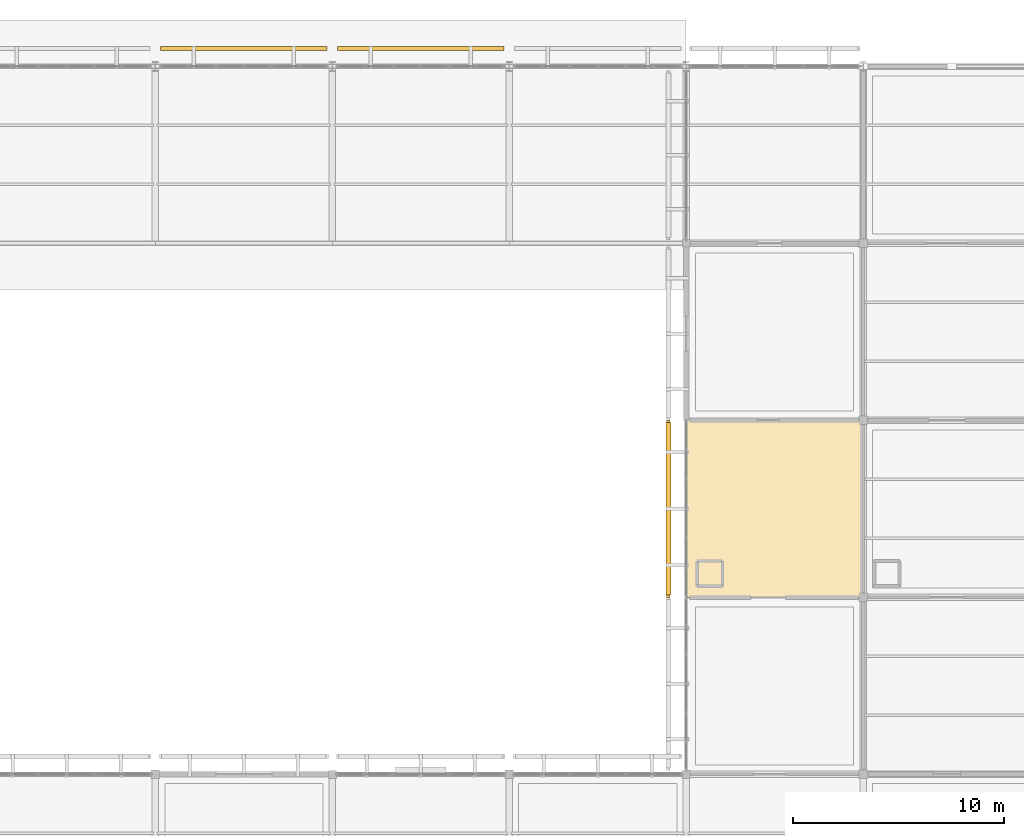
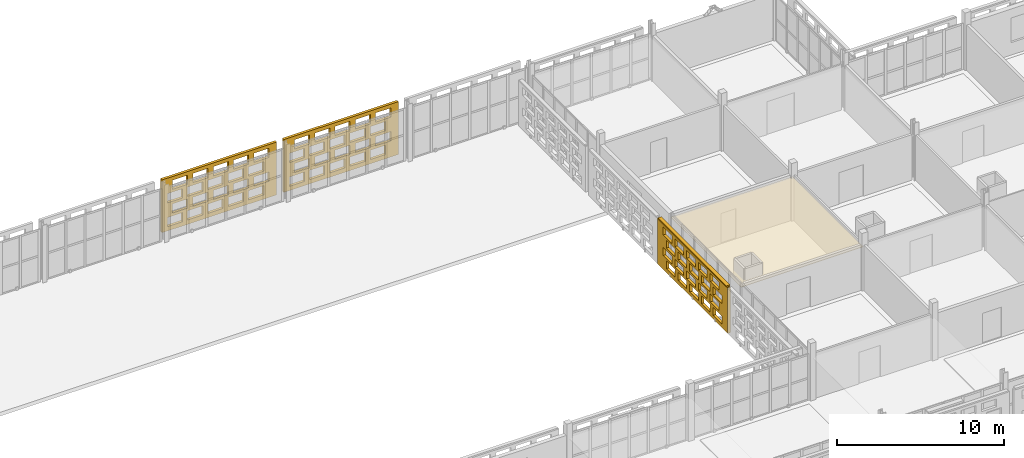
# One storey, part 148 of 166: 4 coverings, 1 shading device, 60 openings.
"""IFC4 building model written with IfcOpenShell, lengths in metres."""

from ifc_helpers import new_model, si_unit, direction, frame, frame_2d, origin, origin_2d, place, context, subcontext, project, spatial, rectangle, extrude, material, layer, layer_set, type_object, element, save


model = new_model("IFC4")

# Units and contexts
model_context = context("Model", 3, precision=1e-05, world=origin(), true_north=direction((0.0, 1.0)))
body_context = subcontext(model_context, "Body", "Model", "MODEL_VIEW")
ifc_project = project(units=[si_unit("LENGTHUNIT", "METRE"), si_unit("AREAUNIT", "SQUARE_METRE"), si_unit("VOLUMEUNIT", "CUBIC_METRE"), si_unit("PLANEANGLEUNIT", "RADIAN"), si_unit("MASSUNIT", "GRAM", prefix="KILO")], contexts=[model_context])

# Site, building, storey
site_placement = place(None, origin())
site = spatial("IfcSite", under=ifc_project, at=site_placement, CompositionType="ELEMENT")
building_placement = place(site_placement, origin())
building = spatial("IfcBuilding", under=site, at=building_placement, Name="Varnapada Polytechnic", CompositionType="ELEMENT")
storey_placement = place(building_placement, frame((0.0, 0.0, 9.60009765625)))
storey = spatial("IfcBuildingStorey", under=building, at=storey_placement, Name="L02", CompositionType="ELEMENT", Elevation=9.60009765625)

# Covering
ifc_material_1 = material(Name="Cleanroom Laboratory Metal Pan Ceiling")
ifc_layer_1 = layer(ifc_material_1, 0.034912109375)
ifc_layer_set_1 = layer_set([ifc_layer_1], Name="Cleanroom Laboratory Metal Pan Ceiling")
covering_type_1 = type_object("IfcCoveringType", Name="Suspended Ceiling CLG-06", PredefinedType="CEILING", material=ifc_layer_set_1)
covering_1_placement = place(storey_placement, frame((121.800048828125, 105.0, 3.0322265625), z_axis=(0.0, 0.0, 1.0), x_axis=(1.0, 0.0, 0.0)))
element("IfcCovering", 1, at=covering_1_placement, inside=storey, type_object=covering_type_1, Name="L02 suspended acoustic ceiling (15,13)", PredefinedType="CEILING", context=body_context, shape_type="SweptSolid", body=[
    extrude(rectangle(XDim=8.419921875, YDim=8.419921875, at=origin_2d()), origin(), (0.0, 0.0, 1.0), 0.034912109375),
])

# Covering, openings
ifc_material_2 = material(Name="Earth-toned architectural terracotta screen block", Category="masonry")
ifc_layer_2 = layer(ifc_material_2, 0.1201171875)
ifc_layer_set_2 = layer_set([ifc_layer_2], Name="Earth-toned architectural terracotta screen block")
covering_type_2 = type_object("IfcCoveringType", Name="Terracotta Screen Cladding CLD-01", PredefinedType="CLADDING", material=ifc_layer_set_2)
covering_2_placement = place(storey_placement, frame((116.75, 100.800048828125, 0.0), z_axis=(0.0, 0.0, 1.0), x_axis=(0.0, 1.0, 0.0)))
covering_2 = element("IfcCovering", 2, at=covering_2_placement, inside=storey, type_object=covering_type_2, Name="L02 perforated terracotta block screen (72)", PredefinedType="CLADDING", context=body_context, shape_type="SweptSolid", body=[
    extrude(rectangle(XDim=8.39990234375, YDim=0.179931640625, at=frame_2d((4.199951171875, 0.0))), origin(), (0.0, 0.0, 1.0), 3.31982421875),
])
opening_1_placement = place(covering_2_placement, frame((0.699951171875, 0.0, 0.265625)))
element("IfcOpeningElement", 3, at=opening_1_placement, cuts=covering_2, Name="Screen perforation TBS-L02-071.1", PredefinedType="OPENING", context=body_context, shape_type="SweptSolid", body=[
    extrude(rectangle(XDim=1.0400390625, YDim=0.5810546875, at=frame_2d((0.52001953125, 0.29052734375))), frame((0.0, 0.099853515625, 0.0), z_axis=(0.0, -1.0, 0.0), x_axis=(1.0, 0.0, 0.0)), (0.0, 0.0, 1.0), 0.199951171875),
])
opening_2_placement = place(covering_2_placement, frame((2.10009765625, 0.0, 0.265625)))
element("IfcOpeningElement", 4, at=opening_2_placement, cuts=covering_2, Name="Screen perforation TBS-L02-071.2", PredefinedType="OPENING", context=body_context, shape_type="SweptSolid", body=[
    extrude(rectangle(XDim=1.0400390625, YDim=0.5810546875, at=frame_2d((0.52001953125, 0.29052734375))), frame((0.0, 0.099853515625, 0.0), z_axis=(0.0, -1.0, 0.0), x_axis=(1.0, 0.0, 0.0)), (0.0, 0.0, 1.0), 0.199951171875),
])
opening_3_placement = place(covering_2_placement, frame((3.5, 0.0, 0.265625)))
element("IfcOpeningElement", 5, at=opening_3_placement, cuts=covering_2, Name="Screen perforation TBS-L02-071.3", PredefinedType="OPENING", context=body_context, shape_type="SweptSolid", body=[
    extrude(rectangle(XDim=1.0400390625, YDim=0.5810546875, at=frame_2d((0.52001953125, 0.29052734375))), frame((0.0, 0.099853515625, 0.0), z_axis=(0.0, -1.0, 0.0), x_axis=(1.0, 0.0, 0.0)), (0.0, 0.0, 1.0), 0.199951171875),
])
opening_4_placement = place(covering_2_placement, frame((4.89990234375, 0.0, 0.265625)))
element("IfcOpeningElement", 6, at=opening_4_placement, cuts=covering_2, Name="Screen perforation TBS-L02-071.4", PredefinedType="OPENING", context=body_context, shape_type="SweptSolid", body=[
    extrude(rectangle(XDim=1.0400390625, YDim=0.5810546875, at=frame_2d((0.52001953125, 0.29052734375))), frame((0.0, 0.099853515625, 0.0), z_axis=(0.0, -1.0, 0.0), x_axis=(1.0, 0.0, 0.0)), (0.0, 0.0, 1.0), 0.199951171875),
])
opening_5_placement = place(covering_2_placement, frame((6.300048828125, 0.0, 0.265625)))
element("IfcOpeningElement", 7, at=opening_5_placement, cuts=covering_2, Name="Screen perforation TBS-L02-071.5", PredefinedType="OPENING", context=body_context, shape_type="SweptSolid", body=[
    extrude(rectangle(XDim=1.0400390625, YDim=0.5810546875, at=frame_2d((0.52001953125, 0.29052734375))), frame((0.0, 0.099853515625, 0.0), z_axis=(0.0, -1.0, 0.0), x_axis=(1.0, 0.0, 0.0)), (0.0, 0.0, 1.0), 0.199951171875),
])
opening_6_placement = place(covering_2_placement, frame((1.06005859375, 0.0, 1.0126953125)))
element("IfcOpeningElement", 8, at=opening_6_placement, cuts=covering_2, Name="Screen perforation TBS-L02-071.6", PredefinedType="OPENING", context=body_context, shape_type="SweptSolid", body=[
    extrude(rectangle(XDim=1.0400390625, YDim=0.5810546875, at=frame_2d((0.52001953125, 0.29052734375))), frame((0.0, 0.099853515625, 0.0), z_axis=(0.0, -1.0, 0.0), x_axis=(1.0, 0.0, 0.0)), (0.0, 0.0, 1.0), 0.199951171875),
])
opening_7_placement = place(covering_2_placement, frame((2.4599609375, 0.0, 1.0126953125)))
element("IfcOpeningElement", 9, at=opening_7_placement, cuts=covering_2, Name="Screen perforation TBS-L02-071.7", PredefinedType="OPENING", context=body_context, shape_type="SweptSolid", body=[
    extrude(rectangle(XDim=1.0400390625, YDim=0.5810546875, at=frame_2d((0.52001953125, 0.29052734375))), frame((0.0, 0.099853515625, 0.0), z_axis=(0.0, -1.0, 0.0), x_axis=(1.0, 0.0, 0.0)), (0.0, 0.0, 1.0), 0.199951171875),
])
opening_8_placement = place(covering_2_placement, frame((3.860107421875, 0.0, 1.0126953125)))
element("IfcOpeningElement", 10, at=opening_8_placement, cuts=covering_2, Name="Screen perforation TBS-L02-071.8", PredefinedType="OPENING", context=body_context, shape_type="SweptSolid", body=[
    extrude(rectangle(XDim=1.0400390625, YDim=0.5810546875, at=frame_2d((0.52001953125, 0.29052734375))), frame((0.0, 0.099853515625, 0.0), z_axis=(0.0, -1.0, 0.0), x_axis=(1.0, 0.0, 0.0)), (0.0, 0.0, 1.0), 0.199951171875),
])
opening_9_placement = place(covering_2_placement, frame((5.260009765625, 0.0, 1.0126953125)))
element("IfcOpeningElement", 11, at=opening_9_placement, cuts=covering_2, Name="Screen perforation TBS-L02-071.9", PredefinedType="OPENING", context=body_context, shape_type="SweptSolid", body=[
    extrude(rectangle(XDim=1.0400390625, YDim=0.5810546875, at=frame_2d((0.52001953125, 0.29052734375))), frame((0.0, 0.099853515625, 0.0), z_axis=(0.0, -1.0, 0.0), x_axis=(1.0, 0.0, 0.0)), (0.0, 0.0, 1.0), 0.199951171875),
])
opening_10_placement = place(covering_2_placement, frame((6.659912109375, 0.0, 1.0126953125)))
element("IfcOpeningElement", 12, at=opening_10_placement, cuts=covering_2, Name="Screen perforation TBS-L02-071.10", PredefinedType="OPENING", context=body_context, shape_type="SweptSolid", body=[
    extrude(rectangle(XDim=1.0400390625, YDim=0.5810546875, at=frame_2d((0.52001953125, 0.29052734375))), frame((0.0, 0.099853515625, 0.0), z_axis=(0.0, -1.0, 0.0), x_axis=(1.0, 0.0, 0.0)), (0.0, 0.0, 1.0), 0.199951171875),
])
opening_11_placement = place(covering_2_placement, frame((0.699951171875, 0.0, 1.759521484375)))
element("IfcOpeningElement", 13, at=opening_11_placement, cuts=covering_2, Name="Screen perforation TBS-L02-071.11", PredefinedType="OPENING", context=body_context, shape_type="SweptSolid", body=[
    extrude(rectangle(XDim=1.0400390625, YDim=0.5810546875, at=frame_2d((0.52001953125, 0.29052734375))), frame((0.0, 0.099853515625, 0.0), z_axis=(0.0, -1.0, 0.0), x_axis=(1.0, 0.0, 0.0)), (0.0, 0.0, 1.0), 0.199951171875),
])
opening_12_placement = place(covering_2_placement, frame((2.10009765625, 0.0, 1.759521484375)))
element("IfcOpeningElement", 14, at=opening_12_placement, cuts=covering_2, Name="Screen perforation TBS-L02-071.12", PredefinedType="OPENING", context=body_context, shape_type="SweptSolid", body=[
    extrude(rectangle(XDim=1.0400390625, YDim=0.5810546875, at=frame_2d((0.52001953125, 0.29052734375))), frame((0.0, 0.099853515625, 0.0), z_axis=(0.0, -1.0, 0.0), x_axis=(1.0, 0.0, 0.0)), (0.0, 0.0, 1.0), 0.199951171875),
])
opening_13_placement = place(covering_2_placement, frame((3.5, 0.0, 1.759521484375)))
element("IfcOpeningElement", 15, at=opening_13_placement, cuts=covering_2, Name="Screen perforation TBS-L02-071.13", PredefinedType="OPENING", context=body_context, shape_type="SweptSolid", body=[
    extrude(rectangle(XDim=1.0400390625, YDim=0.5810546875, at=frame_2d((0.52001953125, 0.29052734375))), frame((0.0, 0.099853515625, 0.0), z_axis=(0.0, -1.0, 0.0), x_axis=(1.0, 0.0, 0.0)), (0.0, 0.0, 1.0), 0.199951171875),
])
opening_14_placement = place(covering_2_placement, frame((4.89990234375, 0.0, 1.759521484375)))
element("IfcOpeningElement", 16, at=opening_14_placement, cuts=covering_2, Name="Screen perforation TBS-L02-071.14", PredefinedType="OPENING", context=body_context, shape_type="SweptSolid", body=[
    extrude(rectangle(XDim=1.0400390625, YDim=0.5810546875, at=frame_2d((0.52001953125, 0.29052734375))), frame((0.0, 0.099853515625, 0.0), z_axis=(0.0, -1.0, 0.0), x_axis=(1.0, 0.0, 0.0)), (0.0, 0.0, 1.0), 0.199951171875),
])
opening_15_placement = place(covering_2_placement, frame((6.300048828125, 0.0, 1.759521484375)))
element("IfcOpeningElement", 17, at=opening_15_placement, cuts=covering_2, Name="Screen perforation TBS-L02-071.15", PredefinedType="OPENING", context=body_context, shape_type="SweptSolid", body=[
    extrude(rectangle(XDim=1.0400390625, YDim=0.5810546875, at=frame_2d((0.52001953125, 0.29052734375))), frame((0.0, 0.099853515625, 0.0), z_axis=(0.0, -1.0, 0.0), x_axis=(1.0, 0.0, 0.0)), (0.0, 0.0, 1.0), 0.199951171875),
])
opening_16_placement = place(covering_2_placement, frame((1.06005859375, 0.0, 2.506591796875)))
element("IfcOpeningElement", 18, at=opening_16_placement, cuts=covering_2, Name="Screen perforation TBS-L02-071.16", PredefinedType="OPENING", context=body_context, shape_type="SweptSolid", body=[
    extrude(rectangle(XDim=1.0400390625, YDim=0.5810546875, at=frame_2d((0.52001953125, 0.29052734375))), frame((0.0, 0.099853515625, 0.0), z_axis=(0.0, -1.0, 0.0), x_axis=(1.0, 0.0, 0.0)), (0.0, 0.0, 1.0), 0.199951171875),
])
opening_17_placement = place(covering_2_placement, frame((2.4599609375, 0.0, 2.506591796875)))
element("IfcOpeningElement", 19, at=opening_17_placement, cuts=covering_2, Name="Screen perforation TBS-L02-071.17", PredefinedType="OPENING", context=body_context, shape_type="SweptSolid", body=[
    extrude(rectangle(XDim=1.0400390625, YDim=0.5810546875, at=frame_2d((0.52001953125, 0.29052734375))), frame((0.0, 0.099853515625, 0.0), z_axis=(0.0, -1.0, 0.0), x_axis=(1.0, 0.0, 0.0)), (0.0, 0.0, 1.0), 0.199951171875),
])
opening_18_placement = place(covering_2_placement, frame((3.860107421875, 0.0, 2.506591796875)))
element("IfcOpeningElement", 20, at=opening_18_placement, cuts=covering_2, Name="Screen perforation TBS-L02-071.18", PredefinedType="OPENING", context=body_context, shape_type="SweptSolid", body=[
    extrude(rectangle(XDim=1.0400390625, YDim=0.5810546875, at=frame_2d((0.52001953125, 0.29052734375))), frame((0.0, 0.099853515625, 0.0), z_axis=(0.0, -1.0, 0.0), x_axis=(1.0, 0.0, 0.0)), (0.0, 0.0, 1.0), 0.199951171875),
])
opening_19_placement = place(covering_2_placement, frame((5.260009765625, 0.0, 2.506591796875)))
element("IfcOpeningElement", 21, at=opening_19_placement, cuts=covering_2, Name="Screen perforation TBS-L02-071.19", PredefinedType="OPENING", context=body_context, shape_type="SweptSolid", body=[
    extrude(rectangle(XDim=1.0400390625, YDim=0.5810546875, at=frame_2d((0.52001953125, 0.29052734375))), frame((0.0, 0.099853515625, 0.0), z_axis=(0.0, -1.0, 0.0), x_axis=(1.0, 0.0, 0.0)), (0.0, 0.0, 1.0), 0.199951171875),
])
opening_20_placement = place(covering_2_placement, frame((6.659912109375, 0.0, 2.506591796875)))
element("IfcOpeningElement", 22, at=opening_20_placement, cuts=covering_2, Name="Screen perforation TBS-L02-071.20", PredefinedType="OPENING", context=body_context, shape_type="SweptSolid", body=[
    extrude(rectangle(XDim=1.0400390625, YDim=0.5810546875, at=frame_2d((0.52001953125, 0.29052734375))), frame((0.0, 0.099853515625, 0.0), z_axis=(0.0, -1.0, 0.0), x_axis=(1.0, 0.0, 0.0)), (0.0, 0.0, 1.0), 0.199951171875),
])

covering_3_placement = place(storey_placement, frame((92.64990234375, 126.85009765625, 0.0), z_axis=(0.0, 0.0, 1.0), x_axis=(1.0, 0.0, 0.0)))
covering_3 = element("IfcCovering", 23, at=covering_3_placement, inside=storey, type_object=covering_type_2, Name="L02 high-bay workshop north terracotta screen 12", PredefinedType="CLADDING", context=body_context, shape_type="SweptSolid", body=[
    extrude(rectangle(XDim=7.900146484375, YDim=0.179931640625, at=frame_2d((3.9501953125, 0.0))), origin(), (0.0, 0.0, 1.0), 3.849853515625),
])
opening_21_placement = place(covering_3_placement, frame((0.3701171875, 0.0, 0.30810546875)))
element("IfcOpeningElement", 24, at=opening_21_placement, cuts=covering_3, Name="Screen perforation TBS-WK-L02-11.1", PredefinedType="OPENING", context=body_context, shape_type="SweptSolid", body=[
    extrude(rectangle(XDim=1.0400390625, YDim=0.673583984375, at=frame_2d((0.52001953125, 0.3369140625))), frame((0.0, 0.099853515625, 0.0), z_axis=(0.0, -1.0, 0.0), x_axis=(1.0, 0.0, 0.0)), (0.0, 0.0, 1.0), 0.199951171875),
])
opening_22_placement = place(covering_3_placement, frame((1.77001953125, 0.0, 0.30810546875)))
element("IfcOpeningElement", 25, at=opening_22_placement, cuts=covering_3, Name="Screen perforation TBS-WK-L02-11.2", PredefinedType="OPENING", context=body_context, shape_type="SweptSolid", body=[
    extrude(rectangle(XDim=1.0400390625, YDim=0.673583984375, at=frame_2d((0.52001953125, 0.3369140625))), frame((0.0, 0.099853515625, 0.0), z_axis=(0.0, -1.0, 0.0), x_axis=(1.0, 0.0, 0.0)), (0.0, 0.0, 1.0), 0.199951171875),
])
opening_23_placement = place(covering_3_placement, frame((3.169921875, 0.0, 0.30810546875)))
element("IfcOpeningElement", 26, at=opening_23_placement, cuts=covering_3, Name="Screen perforation TBS-WK-L02-11.3", PredefinedType="OPENING", context=body_context, shape_type="SweptSolid", body=[
    extrude(rectangle(XDim=1.0400390625, YDim=0.673583984375, at=frame_2d((0.52001953125, 0.3369140625))), frame((0.0, 0.099853515625, 0.0), z_axis=(0.0, -1.0, 0.0), x_axis=(1.0, 0.0, 0.0)), (0.0, 0.0, 1.0), 0.199951171875),
])
opening_24_placement = place(covering_3_placement, frame((4.570068359375, 0.0, 0.30810546875)))
element("IfcOpeningElement", 27, at=opening_24_placement, cuts=covering_3, Name="Screen perforation TBS-WK-L02-11.4", PredefinedType="OPENING", context=body_context, shape_type="SweptSolid", body=[
    extrude(rectangle(XDim=1.0400390625, YDim=0.673583984375, at=frame_2d((0.52001953125, 0.3369140625))), frame((0.0, 0.099853515625, 0.0), z_axis=(0.0, -1.0, 0.0), x_axis=(1.0, 0.0, 0.0)), (0.0, 0.0, 1.0), 0.199951171875),
])
opening_25_placement = place(covering_3_placement, frame((5.969970703125, 0.0, 0.30810546875)))
element("IfcOpeningElement", 28, at=opening_25_placement, cuts=covering_3, Name="Screen perforation TBS-WK-L02-11.5", PredefinedType="OPENING", context=body_context, shape_type="SweptSolid", body=[
    extrude(rectangle(XDim=1.0400390625, YDim=0.673583984375, at=frame_2d((0.52001953125, 0.3369140625))), frame((0.0, 0.099853515625, 0.0), z_axis=(0.0, -1.0, 0.0), x_axis=(1.0, 0.0, 0.0)), (0.0, 0.0, 1.0), 0.199951171875),
])
opening_26_placement = place(covering_3_placement, frame((0.72998046875, 0.0, 1.17431640625)))
element("IfcOpeningElement", 29, at=opening_26_placement, cuts=covering_3, Name="Screen perforation TBS-WK-L02-11.6", PredefinedType="OPENING", context=body_context, shape_type="SweptSolid", body=[
    extrude(rectangle(XDim=1.0400390625, YDim=0.673583984375, at=frame_2d((0.52001953125, 0.3369140625))), frame((0.0, 0.099853515625, 0.0), z_axis=(0.0, -1.0, 0.0), x_axis=(1.0, 0.0, 0.0)), (0.0, 0.0, 1.0), 0.199951171875),
])
opening_27_placement = place(covering_3_placement, frame((2.1298828125, 0.0, 1.17431640625)))
element("IfcOpeningElement", 30, at=opening_27_placement, cuts=covering_3, Name="Screen perforation TBS-WK-L02-11.7", PredefinedType="OPENING", context=body_context, shape_type="SweptSolid", body=[
    extrude(rectangle(XDim=1.0400390625, YDim=0.673583984375, at=frame_2d((0.52001953125, 0.3369140625))), frame((0.0, 0.099853515625, 0.0), z_axis=(0.0, -1.0, 0.0), x_axis=(1.0, 0.0, 0.0)), (0.0, 0.0, 1.0), 0.199951171875),
])
opening_28_placement = place(covering_3_placement, frame((3.530029296875, 0.0, 1.17431640625)))
element("IfcOpeningElement", 31, at=opening_28_placement, cuts=covering_3, Name="Screen perforation TBS-WK-L02-11.8", PredefinedType="OPENING", context=body_context, shape_type="SweptSolid", body=[
    extrude(rectangle(XDim=1.0400390625, YDim=0.673583984375, at=frame_2d((0.52001953125, 0.3369140625))), frame((0.0, 0.099853515625, 0.0), z_axis=(0.0, -1.0, 0.0), x_axis=(1.0, 0.0, 0.0)), (0.0, 0.0, 1.0), 0.199951171875),
])
opening_29_placement = place(covering_3_placement, frame((4.929931640625, 0.0, 1.17431640625)))
element("IfcOpeningElement", 32, at=opening_29_placement, cuts=covering_3, Name="Screen perforation TBS-WK-L02-11.9", PredefinedType="OPENING", context=body_context, shape_type="SweptSolid", body=[
    extrude(rectangle(XDim=1.0400390625, YDim=0.673583984375, at=frame_2d((0.52001953125, 0.3369140625))), frame((0.0, 0.099853515625, 0.0), z_axis=(0.0, -1.0, 0.0), x_axis=(1.0, 0.0, 0.0)), (0.0, 0.0, 1.0), 0.199951171875),
])
opening_30_placement = place(covering_3_placement, frame((6.330078125, 0.0, 1.17431640625)))
element("IfcOpeningElement", 33, at=opening_30_placement, cuts=covering_3, Name="Screen perforation TBS-WK-L02-11.10", PredefinedType="OPENING", context=body_context, shape_type="SweptSolid", body=[
    extrude(rectangle(XDim=1.0400390625, YDim=0.673583984375, at=frame_2d((0.52001953125, 0.3369140625))), frame((0.0, 0.099853515625, 0.0), z_axis=(0.0, -1.0, 0.0), x_axis=(1.0, 0.0, 0.0)), (0.0, 0.0, 1.0), 0.199951171875),
])
opening_31_placement = place(covering_3_placement, frame((0.3701171875, 0.0, 2.04052734375)))
element("IfcOpeningElement", 34, at=opening_31_placement, cuts=covering_3, Name="Screen perforation TBS-WK-L02-11.11", PredefinedType="OPENING", context=body_context, shape_type="SweptSolid", body=[
    extrude(rectangle(XDim=1.0400390625, YDim=0.673583984375, at=frame_2d((0.52001953125, 0.3369140625))), frame((0.0, 0.099853515625, 0.0), z_axis=(0.0, -1.0, 0.0), x_axis=(1.0, 0.0, 0.0)), (0.0, 0.0, 1.0), 0.199951171875),
])
opening_32_placement = place(covering_3_placement, frame((1.77001953125, 0.0, 2.04052734375)))
element("IfcOpeningElement", 35, at=opening_32_placement, cuts=covering_3, Name="Screen perforation TBS-WK-L02-11.12", PredefinedType="OPENING", context=body_context, shape_type="SweptSolid", body=[
    extrude(rectangle(XDim=1.0400390625, YDim=0.673583984375, at=frame_2d((0.52001953125, 0.3369140625))), frame((0.0, 0.099853515625, 0.0), z_axis=(0.0, -1.0, 0.0), x_axis=(1.0, 0.0, 0.0)), (0.0, 0.0, 1.0), 0.199951171875),
])
opening_33_placement = place(covering_3_placement, frame((3.169921875, 0.0, 2.04052734375)))
element("IfcOpeningElement", 36, at=opening_33_placement, cuts=covering_3, Name="Screen perforation TBS-WK-L02-11.13", PredefinedType="OPENING", context=body_context, shape_type="SweptSolid", body=[
    extrude(rectangle(XDim=1.0400390625, YDim=0.673583984375, at=frame_2d((0.52001953125, 0.3369140625))), frame((0.0, 0.099853515625, 0.0), z_axis=(0.0, -1.0, 0.0), x_axis=(1.0, 0.0, 0.0)), (0.0, 0.0, 1.0), 0.199951171875),
])
opening_34_placement = place(covering_3_placement, frame((4.570068359375, 0.0, 2.04052734375)))
element("IfcOpeningElement", 37, at=opening_34_placement, cuts=covering_3, Name="Screen perforation TBS-WK-L02-11.14", PredefinedType="OPENING", context=body_context, shape_type="SweptSolid", body=[
    extrude(rectangle(XDim=1.0400390625, YDim=0.673583984375, at=frame_2d((0.52001953125, 0.3369140625))), frame((0.0, 0.099853515625, 0.0), z_axis=(0.0, -1.0, 0.0), x_axis=(1.0, 0.0, 0.0)), (0.0, 0.0, 1.0), 0.199951171875),
])
opening_35_placement = place(covering_3_placement, frame((5.969970703125, 0.0, 2.04052734375)))
element("IfcOpeningElement", 38, at=opening_35_placement, cuts=covering_3, Name="Screen perforation TBS-WK-L02-11.15", PredefinedType="OPENING", context=body_context, shape_type="SweptSolid", body=[
    extrude(rectangle(XDim=1.0400390625, YDim=0.673583984375, at=frame_2d((0.52001953125, 0.3369140625))), frame((0.0, 0.099853515625, 0.0), z_axis=(0.0, -1.0, 0.0), x_axis=(1.0, 0.0, 0.0)), (0.0, 0.0, 1.0), 0.199951171875),
])
opening_36_placement = place(covering_3_placement, frame((0.72998046875, 0.0, 2.90673828125)))
element("IfcOpeningElement", 39, at=opening_36_placement, cuts=covering_3, Name="Screen perforation TBS-WK-L02-11.16", PredefinedType="OPENING", context=body_context, shape_type="SweptSolid", body=[
    extrude(rectangle(XDim=1.0400390625, YDim=0.673583984375, at=frame_2d((0.52001953125, 0.3369140625))), frame((0.0, 0.099853515625, 0.0), z_axis=(0.0, -1.0, 0.0), x_axis=(1.0, 0.0, 0.0)), (0.0, 0.0, 1.0), 0.199951171875),
])
opening_37_placement = place(covering_3_placement, frame((2.1298828125, 0.0, 2.90673828125)))
element("IfcOpeningElement", 40, at=opening_37_placement, cuts=covering_3, Name="Screen perforation TBS-WK-L02-11.17", PredefinedType="OPENING", context=body_context, shape_type="SweptSolid", body=[
    extrude(rectangle(XDim=1.0400390625, YDim=0.673583984375, at=frame_2d((0.52001953125, 0.3369140625))), frame((0.0, 0.099853515625, 0.0), z_axis=(0.0, -1.0, 0.0), x_axis=(1.0, 0.0, 0.0)), (0.0, 0.0, 1.0), 0.199951171875),
])
opening_38_placement = place(covering_3_placement, frame((3.530029296875, 0.0, 2.90673828125)))
element("IfcOpeningElement", 41, at=opening_38_placement, cuts=covering_3, Name="Screen perforation TBS-WK-L02-11.18", PredefinedType="OPENING", context=body_context, shape_type="SweptSolid", body=[
    extrude(rectangle(XDim=1.0400390625, YDim=0.673583984375, at=frame_2d((0.52001953125, 0.3369140625))), frame((0.0, 0.099853515625, 0.0), z_axis=(0.0, -1.0, 0.0), x_axis=(1.0, 0.0, 0.0)), (0.0, 0.0, 1.0), 0.199951171875),
])
opening_39_placement = place(covering_3_placement, frame((4.929931640625, 0.0, 2.90673828125)))
element("IfcOpeningElement", 42, at=opening_39_placement, cuts=covering_3, Name="Screen perforation TBS-WK-L02-11.19", PredefinedType="OPENING", context=body_context, shape_type="SweptSolid", body=[
    extrude(rectangle(XDim=1.0400390625, YDim=0.673583984375, at=frame_2d((0.52001953125, 0.3369140625))), frame((0.0, 0.099853515625, 0.0), z_axis=(0.0, -1.0, 0.0), x_axis=(1.0, 0.0, 0.0)), (0.0, 0.0, 1.0), 0.199951171875),
])
opening_40_placement = place(covering_3_placement, frame((6.330078125, 0.0, 2.90673828125)))
element("IfcOpeningElement", 43, at=opening_40_placement, cuts=covering_3, Name="Screen perforation TBS-WK-L02-11.20", PredefinedType="OPENING", context=body_context, shape_type="SweptSolid", body=[
    extrude(rectangle(XDim=1.0400390625, YDim=0.673583984375, at=frame_2d((0.52001953125, 0.3369140625))), frame((0.0, 0.099853515625, 0.0), z_axis=(0.0, -1.0, 0.0), x_axis=(1.0, 0.0, 0.0)), (0.0, 0.0, 1.0), 0.199951171875),
])

covering_4_placement = place(storey_placement, frame((101.050048828125, 126.85009765625, 0.0), z_axis=(0.0, 0.0, 1.0), x_axis=(1.0, 0.0, 0.0)))
covering_4 = element("IfcCovering", 44, at=covering_4_placement, inside=storey, type_object=covering_type_2, Name="L02 high-bay workshop north terracotta screen 13", PredefinedType="CLADDING", context=body_context, shape_type="SweptSolid", body=[
    extrude(rectangle(XDim=7.89990234375, YDim=0.179931640625, at=frame_2d((3.949951171875, 0.0))), origin(), (0.0, 0.0, 1.0), 3.849853515625),
])
opening_41_placement = place(covering_4_placement, frame((0.3701171875, 0.0, 0.30810546875)))
element("IfcOpeningElement", 45, at=opening_41_placement, cuts=covering_4, Name="Screen perforation TBS-WK-L02-12.1", PredefinedType="OPENING", context=body_context, shape_type="SweptSolid", body=[
    extrude(rectangle(XDim=1.0400390625, YDim=0.673583984375, at=frame_2d((0.52001953125, 0.3369140625))), frame((0.0, 0.099853515625, 0.0), z_axis=(0.0, -1.0, 0.0), x_axis=(1.0, 0.0, 0.0)), (0.0, 0.0, 1.0), 0.199951171875),
])
opening_42_placement = place(covering_4_placement, frame((1.77001953125, 0.0, 0.30810546875)))
element("IfcOpeningElement", 46, at=opening_42_placement, cuts=covering_4, Name="Screen perforation TBS-WK-L02-12.2", PredefinedType="OPENING", context=body_context, shape_type="SweptSolid", body=[
    extrude(rectangle(XDim=1.0400390625, YDim=0.673583984375, at=frame_2d((0.52001953125, 0.3369140625))), frame((0.0, 0.099853515625, 0.0), z_axis=(0.0, -1.0, 0.0), x_axis=(1.0, 0.0, 0.0)), (0.0, 0.0, 1.0), 0.199951171875),
])
opening_43_placement = place(covering_4_placement, frame((3.169921875, 0.0, 0.30810546875)))
element("IfcOpeningElement", 47, at=opening_43_placement, cuts=covering_4, Name="Screen perforation TBS-WK-L02-12.3", PredefinedType="OPENING", context=body_context, shape_type="SweptSolid", body=[
    extrude(rectangle(XDim=1.0400390625, YDim=0.673583984375, at=frame_2d((0.52001953125, 0.3369140625))), frame((0.0, 0.099853515625, 0.0), z_axis=(0.0, -1.0, 0.0), x_axis=(1.0, 0.0, 0.0)), (0.0, 0.0, 1.0), 0.199951171875),
])
opening_44_placement = place(covering_4_placement, frame((4.570068359375, 0.0, 0.30810546875)))
element("IfcOpeningElement", 48, at=opening_44_placement, cuts=covering_4, Name="Screen perforation TBS-WK-L02-12.4", PredefinedType="OPENING", context=body_context, shape_type="SweptSolid", body=[
    extrude(rectangle(XDim=1.0400390625, YDim=0.673583984375, at=frame_2d((0.52001953125, 0.3369140625))), frame((0.0, 0.099853515625, 0.0), z_axis=(0.0, -1.0, 0.0), x_axis=(1.0, 0.0, 0.0)), (0.0, 0.0, 1.0), 0.199951171875),
])
opening_45_placement = place(covering_4_placement, frame((5.969970703125, 0.0, 0.30810546875)))
element("IfcOpeningElement", 49, at=opening_45_placement, cuts=covering_4, Name="Screen perforation TBS-WK-L02-12.5", PredefinedType="OPENING", context=body_context, shape_type="SweptSolid", body=[
    extrude(rectangle(XDim=1.0400390625, YDim=0.673583984375, at=frame_2d((0.52001953125, 0.3369140625))), frame((0.0, 0.099853515625, 0.0), z_axis=(0.0, -1.0, 0.0), x_axis=(1.0, 0.0, 0.0)), (0.0, 0.0, 1.0), 0.199951171875),
])
opening_46_placement = place(covering_4_placement, frame((0.72998046875, 0.0, 1.17431640625)))
element("IfcOpeningElement", 50, at=opening_46_placement, cuts=covering_4, Name="Screen perforation TBS-WK-L02-12.6", PredefinedType="OPENING", context=body_context, shape_type="SweptSolid", body=[
    extrude(rectangle(XDim=1.0400390625, YDim=0.673583984375, at=frame_2d((0.52001953125, 0.3369140625))), frame((0.0, 0.099853515625, 0.0), z_axis=(0.0, -1.0, 0.0), x_axis=(1.0, 0.0, 0.0)), (0.0, 0.0, 1.0), 0.199951171875),
])
opening_47_placement = place(covering_4_placement, frame((2.1298828125, 0.0, 1.17431640625)))
element("IfcOpeningElement", 51, at=opening_47_placement, cuts=covering_4, Name="Screen perforation TBS-WK-L02-12.7", PredefinedType="OPENING", context=body_context, shape_type="SweptSolid", body=[
    extrude(rectangle(XDim=1.0400390625, YDim=0.673583984375, at=frame_2d((0.52001953125, 0.3369140625))), frame((0.0, 0.099853515625, 0.0), z_axis=(0.0, -1.0, 0.0), x_axis=(1.0, 0.0, 0.0)), (0.0, 0.0, 1.0), 0.199951171875),
])
opening_48_placement = place(covering_4_placement, frame((3.530029296875, 0.0, 1.17431640625)))
element("IfcOpeningElement", 52, at=opening_48_placement, cuts=covering_4, Name="Screen perforation TBS-WK-L02-12.8", PredefinedType="OPENING", context=body_context, shape_type="SweptSolid", body=[
    extrude(rectangle(XDim=1.0400390625, YDim=0.673583984375, at=frame_2d((0.52001953125, 0.3369140625))), frame((0.0, 0.099853515625, 0.0), z_axis=(0.0, -1.0, 0.0), x_axis=(1.0, 0.0, 0.0)), (0.0, 0.0, 1.0), 0.199951171875),
])
opening_49_placement = place(covering_4_placement, frame((4.929931640625, 0.0, 1.17431640625)))
element("IfcOpeningElement", 53, at=opening_49_placement, cuts=covering_4, Name="Screen perforation TBS-WK-L02-12.9", PredefinedType="OPENING", context=body_context, shape_type="SweptSolid", body=[
    extrude(rectangle(XDim=1.0400390625, YDim=0.673583984375, at=frame_2d((0.52001953125, 0.3369140625))), frame((0.0, 0.099853515625, 0.0), z_axis=(0.0, -1.0, 0.0), x_axis=(1.0, 0.0, 0.0)), (0.0, 0.0, 1.0), 0.199951171875),
])
opening_50_placement = place(covering_4_placement, frame((6.330078125, 0.0, 1.17431640625)))
element("IfcOpeningElement", 54, at=opening_50_placement, cuts=covering_4, Name="Screen perforation TBS-WK-L02-12.10", PredefinedType="OPENING", context=body_context, shape_type="SweptSolid", body=[
    extrude(rectangle(XDim=1.0400390625, YDim=0.673583984375, at=frame_2d((0.52001953125, 0.3369140625))), frame((0.0, 0.099853515625, 0.0), z_axis=(0.0, -1.0, 0.0), x_axis=(1.0, 0.0, 0.0)), (0.0, 0.0, 1.0), 0.199951171875),
])
opening_51_placement = place(covering_4_placement, frame((0.3701171875, 0.0, 2.04052734375)))
element("IfcOpeningElement", 55, at=opening_51_placement, cuts=covering_4, Name="Screen perforation TBS-WK-L02-12.11", PredefinedType="OPENING", context=body_context, shape_type="SweptSolid", body=[
    extrude(rectangle(XDim=1.0400390625, YDim=0.673583984375, at=frame_2d((0.52001953125, 0.3369140625))), frame((0.0, 0.099853515625, 0.0), z_axis=(0.0, -1.0, 0.0), x_axis=(1.0, 0.0, 0.0)), (0.0, 0.0, 1.0), 0.199951171875),
])
opening_52_placement = place(covering_4_placement, frame((1.77001953125, 0.0, 2.04052734375)))
element("IfcOpeningElement", 56, at=opening_52_placement, cuts=covering_4, Name="Screen perforation TBS-WK-L02-12.12", PredefinedType="OPENING", context=body_context, shape_type="SweptSolid", body=[
    extrude(rectangle(XDim=1.0400390625, YDim=0.673583984375, at=frame_2d((0.52001953125, 0.3369140625))), frame((0.0, 0.099853515625, 0.0), z_axis=(0.0, -1.0, 0.0), x_axis=(1.0, 0.0, 0.0)), (0.0, 0.0, 1.0), 0.199951171875),
])
opening_53_placement = place(covering_4_placement, frame((3.169921875, 0.0, 2.04052734375)))
element("IfcOpeningElement", 57, at=opening_53_placement, cuts=covering_4, Name="Screen perforation TBS-WK-L02-12.13", PredefinedType="OPENING", context=body_context, shape_type="SweptSolid", body=[
    extrude(rectangle(XDim=1.0400390625, YDim=0.673583984375, at=frame_2d((0.52001953125, 0.3369140625))), frame((0.0, 0.099853515625, 0.0), z_axis=(0.0, -1.0, 0.0), x_axis=(1.0, 0.0, 0.0)), (0.0, 0.0, 1.0), 0.199951171875),
])
opening_54_placement = place(covering_4_placement, frame((4.570068359375, 0.0, 2.04052734375)))
element("IfcOpeningElement", 58, at=opening_54_placement, cuts=covering_4, Name="Screen perforation TBS-WK-L02-12.14", PredefinedType="OPENING", context=body_context, shape_type="SweptSolid", body=[
    extrude(rectangle(XDim=1.0400390625, YDim=0.673583984375, at=frame_2d((0.52001953125, 0.3369140625))), frame((0.0, 0.099853515625, 0.0), z_axis=(0.0, -1.0, 0.0), x_axis=(1.0, 0.0, 0.0)), (0.0, 0.0, 1.0), 0.199951171875),
])
opening_55_placement = place(covering_4_placement, frame((5.969970703125, 0.0, 2.04052734375)))
element("IfcOpeningElement", 59, at=opening_55_placement, cuts=covering_4, Name="Screen perforation TBS-WK-L02-12.15", PredefinedType="OPENING", context=body_context, shape_type="SweptSolid", body=[
    extrude(rectangle(XDim=1.0400390625, YDim=0.673583984375, at=frame_2d((0.52001953125, 0.3369140625))), frame((0.0, 0.099853515625, 0.0), z_axis=(0.0, -1.0, 0.0), x_axis=(1.0, 0.0, 0.0)), (0.0, 0.0, 1.0), 0.199951171875),
])
opening_56_placement = place(covering_4_placement, frame((0.72998046875, 0.0, 2.90673828125)))
element("IfcOpeningElement", 60, at=opening_56_placement, cuts=covering_4, Name="Screen perforation TBS-WK-L02-12.16", PredefinedType="OPENING", context=body_context, shape_type="SweptSolid", body=[
    extrude(rectangle(XDim=1.0400390625, YDim=0.673583984375, at=frame_2d((0.52001953125, 0.3369140625))), frame((0.0, 0.099853515625, 0.0), z_axis=(0.0, -1.0, 0.0), x_axis=(1.0, 0.0, 0.0)), (0.0, 0.0, 1.0), 0.199951171875),
])
opening_57_placement = place(covering_4_placement, frame((2.1298828125, 0.0, 2.90673828125)))
element("IfcOpeningElement", 61, at=opening_57_placement, cuts=covering_4, Name="Screen perforation TBS-WK-L02-12.17", PredefinedType="OPENING", context=body_context, shape_type="SweptSolid", body=[
    extrude(rectangle(XDim=1.0400390625, YDim=0.673583984375, at=frame_2d((0.52001953125, 0.3369140625))), frame((0.0, 0.099853515625, 0.0), z_axis=(0.0, -1.0, 0.0), x_axis=(1.0, 0.0, 0.0)), (0.0, 0.0, 1.0), 0.199951171875),
])
opening_58_placement = place(covering_4_placement, frame((3.530029296875, 0.0, 2.90673828125)))
element("IfcOpeningElement", 62, at=opening_58_placement, cuts=covering_4, Name="Screen perforation TBS-WK-L02-12.18", PredefinedType="OPENING", context=body_context, shape_type="SweptSolid", body=[
    extrude(rectangle(XDim=1.0400390625, YDim=0.673583984375, at=frame_2d((0.52001953125, 0.3369140625))), frame((0.0, 0.099853515625, 0.0), z_axis=(0.0, -1.0, 0.0), x_axis=(1.0, 0.0, 0.0)), (0.0, 0.0, 1.0), 0.199951171875),
])
opening_59_placement = place(covering_4_placement, frame((4.929931640625, 0.0, 2.90673828125)))
element("IfcOpeningElement", 63, at=opening_59_placement, cuts=covering_4, Name="Screen perforation TBS-WK-L02-12.19", PredefinedType="OPENING", context=body_context, shape_type="SweptSolid", body=[
    extrude(rectangle(XDim=1.0400390625, YDim=0.673583984375, at=frame_2d((0.52001953125, 0.3369140625))), frame((0.0, 0.099853515625, 0.0), z_axis=(0.0, -1.0, 0.0), x_axis=(1.0, 0.0, 0.0)), (0.0, 0.0, 1.0), 0.199951171875),
])
opening_60_placement = place(covering_4_placement, frame((6.330078125, 0.0, 2.90673828125)))
element("IfcOpeningElement", 64, at=opening_60_placement, cuts=covering_4, Name="Screen perforation TBS-WK-L02-12.20", PredefinedType="OPENING", context=body_context, shape_type="SweptSolid", body=[
    extrude(rectangle(XDim=1.0400390625, YDim=0.673583984375, at=frame_2d((0.52001953125, 0.3369140625))), frame((0.0, 0.099853515625, 0.0), z_axis=(0.0, -1.0, 0.0), x_axis=(1.0, 0.0, 0.0)), (0.0, 0.0, 1.0), 0.199951171875),
])

# Shading device
ifc_layer_3 = layer(ifc_material_2, 0.179931640625)
ifc_layer_set_3 = layer_set([ifc_layer_3], Name="Earth-toned architectural terracotta screen block")
shading_device_type = type_object("IfcShadingDeviceType", Name="Terracotta Screen SCR-01", PredefinedType="USERDEFINED", material=ifc_layer_set_3)
shading_device_placement = place(storey_placement, frame((116.75, 105.0, 3.309814453125), z_axis=(0.0, 0.0, 1.0), x_axis=(0.0, 1.0, 0.0)))
element("IfcShadingDevice", 65, at=shading_device_placement, inside=storey, type_object=shading_device_type, Name="L02 perforated terracotta screen hood 297", ObjectType="SCREEN", PredefinedType="USERDEFINED", context=body_context, shape_type="SweptSolid", body=[
    extrude(rectangle(XDim=8.199951171875, YDim=0.239990234375, at=origin_2d()), origin(), (0.0, 0.0, 1.0), 0.10009765625),
])

save(model, "model.ifc")
